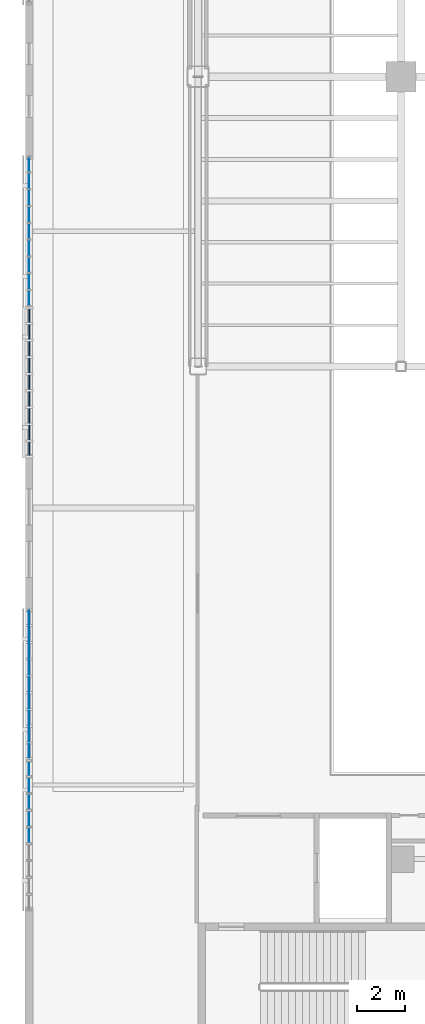
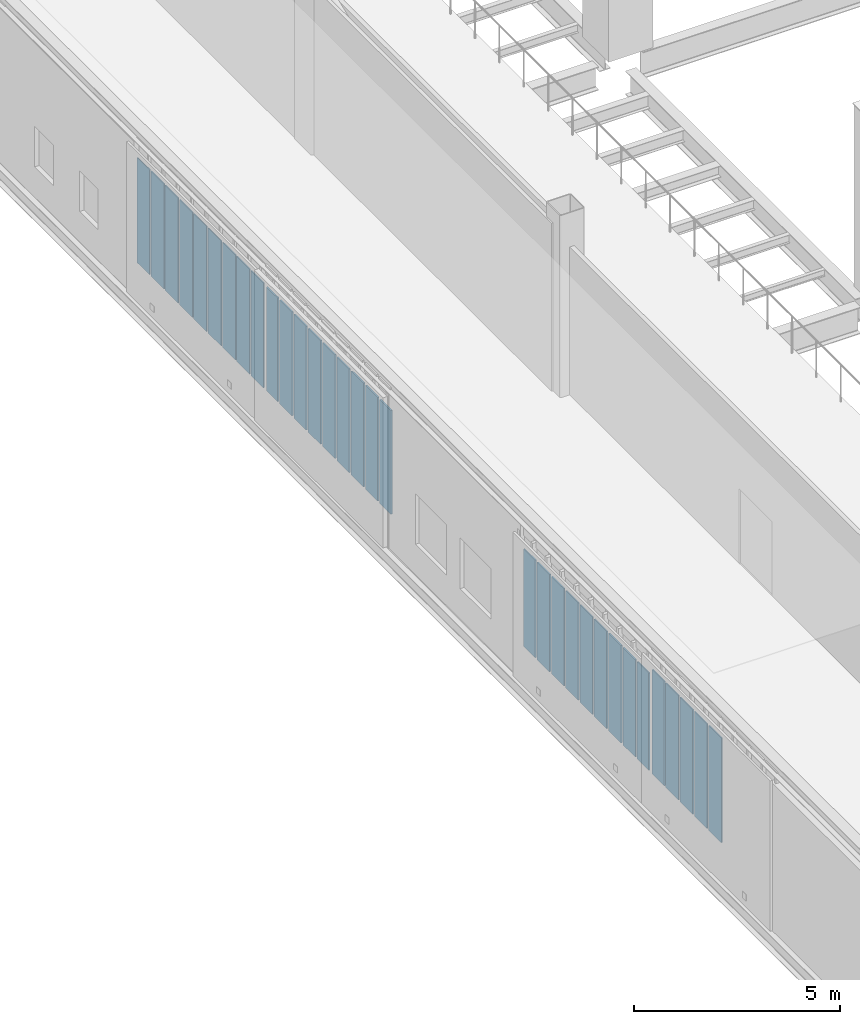
# One storey, part 71 of 127: 32 plates, 4 elements without a shape of their own.
"""IFC4 building model written with IfcOpenShell, lengths in metres."""

from ifc_helpers import new_model, si_unit, direction, frame, origin, origin_2d, place, context, subcontext, project, spatial, rectangle, extrude, material, layer, layer_set, type_object, element, aggregate, save


model = new_model("IFC4")

# Units and contexts
model_context = context("Model", 3, precision=1e-05, world=origin(), true_north=direction((0.0, 1.0)))
body_context = subcontext(model_context, "Body", "Model", "MODEL_VIEW")
ifc_project = project(units=[si_unit("LENGTHUNIT", "METRE"), si_unit("AREAUNIT", "SQUARE_METRE"), si_unit("VOLUMEUNIT", "CUBIC_METRE"), si_unit("PLANEANGLEUNIT", "RADIAN"), si_unit("MASSUNIT", "GRAM", prefix="KILO")], contexts=[model_context])

# Site, building, storey
site_placement = place(None, origin())
site = spatial("IfcSite", under=ifc_project, at=site_placement, CompositionType="ELEMENT")
building_placement = place(site_placement, origin())
building = spatial("IfcBuilding", under=site, at=building_placement, Name="Larkvane Passage Sports Hall", CompositionType="ELEMENT")
storey_placement = place(building_placement, frame((0.0, 0.0, 5.39990234375)))
storey = spatial("IfcBuildingStorey", under=building, at=storey_placement, Name="L01", CompositionType="ELEMENT", Elevation=5.39990234375)

# Curtain wall, plates
ifc_material_1 = material(Name="Thermally broken aluminium and low-E glazing", Category="aluminium")
curtain_wall_type_1 = type_object("IfcCurtainWallType", Name="CW-UNIT-COURT", PredefinedType="USERDEFINED", material=ifc_material_1)
curtain_wall_1_placement = place(storey_placement, origin())
curtain_wall_1 = element("IfcCurtainWall", 1, at=curtain_wall_1_placement, inside=storey, type_object=curtain_wall_type_1, Name="Curtain wall CW5-L01-036", ObjectType="UNITISED CURTAIN WALL", PredefinedType="USERDEFINED")
ifc_material_2 = material(Name="Solar-control low-E double glazing", Category="glass")
ifc_layer_1 = layer(ifc_material_2, 0.028076171875)
ifc_layer_set_1 = layer_set([ifc_layer_1], Name="Solar-control low-E double glazing")
plate_type_1 = type_object("IfcPlateType", Name="CWP-VIS-28", PredefinedType="CURTAIN_PANEL", material=ifc_layer_set_1)
plate_1_placement = place(storey_placement, frame((27.800048828125, 54.43505859375, 0.88037109375), z_axis=(0.0, 0.0, 1.0), x_axis=(0.0, 1.0, 0.0)))
plate_1 = element("IfcPlate", 2, at=plate_1_placement, type_object=plate_type_1, Name="CW-01 panel 1.2", PredefinedType="CURTAIN_PANEL", context=body_context, shape_type="SweptSolid", body=[
    extrude(rectangle(XDim=0.60498046875, YDim=0.028076171875, at=origin_2d()), origin(), (0.0, 0.0, 1.0), 3.117919921875),
])
plate_2_placement = place(storey_placement, frame((27.800048828125, 55.115234375, 0.88037109375), z_axis=(0.0, 0.0, 1.0), x_axis=(0.0, 1.0, 0.0)))
plate_2 = element("IfcPlate", 3, at=plate_2_placement, type_object=plate_type_1, Name="CW-01 panel 2.2", PredefinedType="CURTAIN_PANEL", context=body_context, shape_type="SweptSolid", body=[
    extrude(rectangle(XDim=0.635009765625, YDim=0.028076171875, at=origin_2d()), origin(), (0.0, 0.0, 1.0), 3.117919921875),
])
plate_3_placement = place(storey_placement, frame((27.800048828125, 55.81005859375, 0.88037109375), z_axis=(0.0, 0.0, 1.0), x_axis=(0.0, 1.0, 0.0)))
plate_3 = element("IfcPlate", 4, at=plate_3_placement, type_object=plate_type_1, Name="CW-01 panel 3.2", PredefinedType="CURTAIN_PANEL", context=body_context, shape_type="SweptSolid", body=[
    extrude(rectangle(XDim=0.635009765625, YDim=0.028076171875, at=origin_2d()), origin(), (0.0, 0.0, 1.0), 3.117919921875),
])
plate_4_placement = place(storey_placement, frame((27.800048828125, 56.505126953125, 0.88037109375), z_axis=(0.0, 0.0, 1.0), x_axis=(0.0, 1.0, 0.0)))
plate_4 = element("IfcPlate", 5, at=plate_4_placement, type_object=plate_type_1, Name="CW-01 panel 4.2", PredefinedType="CURTAIN_PANEL", context=body_context, shape_type="SweptSolid", body=[
    extrude(rectangle(XDim=0.635009765625, YDim=0.028076171875, at=origin_2d()), origin(), (0.0, 0.0, 1.0), 3.117919921875),
])
plate_5_placement = place(storey_placement, frame((27.800048828125, 57.199951171875, 0.88037109375), z_axis=(0.0, 0.0, 1.0), x_axis=(0.0, 1.0, 0.0)))
plate_5 = element("IfcPlate", 6, at=plate_5_placement, type_object=plate_type_1, Name="CW-01 panel 5.2", PredefinedType="CURTAIN_PANEL", context=body_context, shape_type="SweptSolid", body=[
    extrude(rectangle(XDim=0.635009765625, YDim=0.028076171875, at=origin_2d()), origin(), (0.0, 0.0, 1.0), 3.117919921875),
])
plate_6_placement = place(storey_placement, frame((27.800048828125, 57.89501953125, 0.88037109375), z_axis=(0.0, 0.0, 1.0), x_axis=(0.0, 1.0, 0.0)))
plate_6 = element("IfcPlate", 7, at=plate_6_placement, type_object=plate_type_1, Name="CW-01 panel 6.2", PredefinedType="CURTAIN_PANEL", context=body_context, shape_type="SweptSolid", body=[
    extrude(rectangle(XDim=0.635009765625, YDim=0.028076171875, at=origin_2d()), origin(), (0.0, 0.0, 1.0), 3.117919921875),
])
plate_7_placement = place(storey_placement, frame((27.800048828125, 58.58984375, 0.88037109375), z_axis=(0.0, 0.0, 1.0), x_axis=(0.0, 1.0, 0.0)))
plate_7 = element("IfcPlate", 8, at=plate_7_placement, type_object=plate_type_1, Name="CW-01 panel 7.2", PredefinedType="CURTAIN_PANEL", context=body_context, shape_type="SweptSolid", body=[
    extrude(rectangle(XDim=0.635009765625, YDim=0.028076171875, at=origin_2d()), origin(), (0.0, 0.0, 1.0), 3.117919921875),
])
plate_8_placement = place(storey_placement, frame((27.800048828125, 59.284912109375, 0.88037109375), z_axis=(0.0, 0.0, 1.0), x_axis=(0.0, 1.0, 0.0)))
plate_8 = element("IfcPlate", 9, at=plate_8_placement, type_object=plate_type_1, Name="CW-01 panel 8.2", PredefinedType="CURTAIN_PANEL", context=body_context, shape_type="SweptSolid", body=[
    extrude(rectangle(XDim=0.635009765625, YDim=0.028076171875, at=origin_2d()), origin(), (0.0, 0.0, 1.0), 3.117919921875),
])
plate_9_placement = place(storey_placement, frame((27.800048828125, 59.96484375, 0.88037109375), z_axis=(0.0, 0.0, 1.0), x_axis=(0.0, 1.0, 0.0)))
plate_9 = element("IfcPlate", 10, at=plate_9_placement, type_object=plate_type_1, Name="CW-01 panel 9.2", PredefinedType="CURTAIN_PANEL", context=body_context, shape_type="SweptSolid", body=[
    extrude(rectangle(XDim=0.60498046875, YDim=0.028076171875, at=origin_2d()), origin(), (0.0, 0.0, 1.0), 3.117919921875),
])
aggregate(curtain_wall_1, [plate_1, plate_2, plate_3, plate_4, plate_5, plate_6, plate_7, plate_8, plate_9])

curtain_wall_type_2 = type_object("IfcCurtainWallType", Name="CW-UNIT-VEIL", PredefinedType="USERDEFINED", material=ifc_material_1)
curtain_wall_2_placement = place(storey_placement, origin())
curtain_wall_2 = element("IfcCurtainWall", 11, at=curtain_wall_2_placement, inside=storey, type_object=curtain_wall_type_2, Name="Curtain wall CW5-L01-033", ObjectType="UNITISED CURTAIN WALL", PredefinedType="USERDEFINED")
ifc_material_3 = material(Name="Laminated acoustic low-E glazing", Category="glass")
ifc_layer_2 = layer(ifc_material_3, 0.031982421875)
ifc_layer_set_2 = layer_set([ifc_layer_2], Name="Laminated acoustic low-E glazing")
plate_type_2 = type_object("IfcPlateType", Name="CWP-VIS-32", PredefinedType="CURTAIN_PANEL", material=ifc_layer_set_2)
plate_10_placement = place(storey_placement, frame((27.800048828125, 32.181884765625, 0.8876953125), z_axis=(0.0, 0.0, 1.0), x_axis=(0.0, 1.0, 0.0)))
plate_10 = element("IfcPlate", 12, at=plate_10_placement, type_object=plate_type_2, Name="CW-02 panel 5.2", PredefinedType="CURTAIN_PANEL", context=body_context, shape_type="SweptSolid", body=[
    extrude(rectangle(XDim=0.619873046875, YDim=0.031982421875, at=origin_2d()), origin(), (0.0, 0.0, 1.0), 3.10302734375),
])
plate_11_placement = place(storey_placement, frame((27.800048828125, 32.876708984375, 0.8876953125), z_axis=(0.0, 0.0, 1.0), x_axis=(0.0, 1.0, 0.0)))
plate_11 = element("IfcPlate", 13, at=plate_11_placement, type_object=plate_type_2, Name="CW-02 panel 6.2", PredefinedType="CURTAIN_PANEL", context=body_context, shape_type="SweptSolid", body=[
    extrude(rectangle(XDim=0.619873046875, YDim=0.031982421875, at=origin_2d()), origin(), (0.0, 0.0, 1.0), 3.10302734375),
])
plate_12_placement = place(storey_placement, frame((27.800048828125, 33.57177734375, 0.8876953125), z_axis=(0.0, 0.0, 1.0), x_axis=(0.0, 1.0, 0.0)))
plate_12 = element("IfcPlate", 14, at=plate_12_placement, type_object=plate_type_2, Name="CW-02 panel 7.2", PredefinedType="CURTAIN_PANEL", context=body_context, shape_type="SweptSolid", body=[
    extrude(rectangle(XDim=0.619873046875, YDim=0.031982421875, at=origin_2d()), origin(), (0.0, 0.0, 1.0), 3.10302734375),
])
plate_13_placement = place(storey_placement, frame((27.800048828125, 34.2666015625, 0.8876953125), z_axis=(0.0, 0.0, 1.0), x_axis=(0.0, 1.0, 0.0)))
plate_13 = element("IfcPlate", 15, at=plate_13_placement, type_object=plate_type_2, Name="CW-02 panel 8.2", PredefinedType="CURTAIN_PANEL", context=body_context, shape_type="SweptSolid", body=[
    extrude(rectangle(XDim=0.619873046875, YDim=0.031982421875, at=origin_2d()), origin(), (0.0, 0.0, 1.0), 3.10302734375),
])
plate_14_placement = place(storey_placement, frame((27.800048828125, 34.94287109375, 0.8876953125), z_axis=(0.0, 0.0, 1.0), x_axis=(0.0, 1.0, 0.0)))
plate_14 = element("IfcPlate", 16, at=plate_14_placement, type_object=plate_type_2, Name="CW-02 panel 9.2", PredefinedType="CURTAIN_PANEL", context=body_context, shape_type="SweptSolid", body=[
    extrude(rectangle(XDim=0.58251953125, YDim=0.031982421875, at=origin_2d()), origin(), (0.0, 0.0, 1.0), 3.10302734375),
])
aggregate(curtain_wall_2, [plate_10, plate_11, plate_12, plate_13, plate_14])

curtain_wall_type_3 = type_object("IfcCurtainWallType", Name="CW-STICK-FOYER", PredefinedType="USERDEFINED", material=ifc_material_1)
curtain_wall_3_placement = place(storey_placement, origin())
curtain_wall_3 = element("IfcCurtainWall", 17, at=curtain_wall_3_placement, inside=storey, type_object=curtain_wall_type_3, Name="Curtain wall CW5-L01-034", ObjectType="STICK CURTAIN WALL", PredefinedType="USERDEFINED")
ifc_material_4 = material(Name="High-impact court low-E glazing", Category="glass")
ifc_layer_3 = layer(ifc_material_4, 0.035888671875)
ifc_layer_set_3 = layer_set([ifc_layer_3], Name="High-impact court low-E glazing")
plate_type_3 = type_object("IfcPlateType", Name="CWP-VIS-36", PredefinedType="CURTAIN_PANEL", material=ifc_layer_set_3)
plate_15_placement = place(storey_placement, frame((27.800048828125, 35.678955078125, 0.89501953125), z_axis=(0.0, 0.0, 1.0), x_axis=(0.0, 1.0, 0.0)))
plate_15 = element("IfcPlate", 18, at=plate_15_placement, type_object=plate_type_3, Name="CW-03 panel 1.2", PredefinedType="CURTAIN_PANEL", context=body_context, shape_type="SweptSolid", body=[
    extrude(rectangle(XDim=0.56005859375, YDim=0.035888671875, at=origin_2d()), origin(), (0.0, 0.0, 1.0), 2.889892578125),
])
plate_16_placement = place(storey_placement, frame((27.800048828125, 36.3515625, 0.89501953125), z_axis=(0.0, 0.0, 1.0), x_axis=(0.0, 1.0, 0.0)))
plate_16 = element("IfcPlate", 19, at=plate_16_placement, type_object=plate_type_3, Name="CW-03 panel 2.2", PredefinedType="CURTAIN_PANEL", context=body_context, shape_type="SweptSolid", body=[
    extrude(rectangle(XDim=0.60498046875, YDim=0.035888671875, at=origin_2d()), origin(), (0.0, 0.0, 1.0), 2.889892578125),
])
plate_17_placement = place(storey_placement, frame((27.800048828125, 37.04638671875, 0.89501953125), z_axis=(0.0, 0.0, 1.0), x_axis=(0.0, 1.0, 0.0)))
plate_17 = element("IfcPlate", 20, at=plate_17_placement, type_object=plate_type_3, Name="CW-03 panel 3.2", PredefinedType="CURTAIN_PANEL", context=body_context, shape_type="SweptSolid", body=[
    extrude(rectangle(XDim=0.60498046875, YDim=0.035888671875, at=origin_2d()), origin(), (0.0, 0.0, 1.0), 2.889892578125),
])
plate_18_placement = place(storey_placement, frame((27.800048828125, 37.741455078125, 0.89501953125), z_axis=(0.0, 0.0, 1.0), x_axis=(0.0, 1.0, 0.0)))
plate_18 = element("IfcPlate", 21, at=plate_18_placement, type_object=plate_type_3, Name="CW-03 panel 4.2", PredefinedType="CURTAIN_PANEL", context=body_context, shape_type="SweptSolid", body=[
    extrude(rectangle(XDim=0.60498046875, YDim=0.035888671875, at=origin_2d()), origin(), (0.0, 0.0, 1.0), 2.889892578125),
])
plate_19_placement = place(storey_placement, frame((27.800048828125, 38.436279296875, 0.89501953125), z_axis=(0.0, 0.0, 1.0), x_axis=(0.0, 1.0, 0.0)))
plate_19 = element("IfcPlate", 22, at=plate_19_placement, type_object=plate_type_3, Name="CW-03 panel 5.2", PredefinedType="CURTAIN_PANEL", context=body_context, shape_type="SweptSolid", body=[
    extrude(rectangle(XDim=0.60498046875, YDim=0.035888671875, at=origin_2d()), origin(), (0.0, 0.0, 1.0), 2.889892578125),
])
plate_20_placement = place(storey_placement, frame((27.800048828125, 39.13134765625, 0.89501953125), z_axis=(0.0, 0.0, 1.0), x_axis=(0.0, 1.0, 0.0)))
plate_20 = element("IfcPlate", 23, at=plate_20_placement, type_object=plate_type_3, Name="CW-03 panel 6.2", PredefinedType="CURTAIN_PANEL", context=body_context, shape_type="SweptSolid", body=[
    extrude(rectangle(XDim=0.60498046875, YDim=0.035888671875, at=origin_2d()), origin(), (0.0, 0.0, 1.0), 2.889892578125),
])
plate_21_placement = place(storey_placement, frame((27.800048828125, 39.826171875, 0.89501953125), z_axis=(0.0, 0.0, 1.0), x_axis=(0.0, 1.0, 0.0)))
plate_21 = element("IfcPlate", 24, at=plate_21_placement, type_object=plate_type_3, Name="CW-03 panel 7.2", PredefinedType="CURTAIN_PANEL", context=body_context, shape_type="SweptSolid", body=[
    extrude(rectangle(XDim=0.60498046875, YDim=0.035888671875, at=origin_2d()), origin(), (0.0, 0.0, 1.0), 2.889892578125),
])
plate_22_placement = place(storey_placement, frame((27.800048828125, 40.521240234375, 0.89501953125), z_axis=(0.0, 0.0, 1.0), x_axis=(0.0, 1.0, 0.0)))
plate_22 = element("IfcPlate", 25, at=plate_22_placement, type_object=plate_type_3, Name="CW-03 panel 8.2", PredefinedType="CURTAIN_PANEL", context=body_context, shape_type="SweptSolid", body=[
    extrude(rectangle(XDim=0.60498046875, YDim=0.035888671875, at=origin_2d()), origin(), (0.0, 0.0, 1.0), 2.889892578125),
])
plate_23_placement = place(storey_placement, frame((27.800048828125, 41.193603515625, 0.89501953125), z_axis=(0.0, 0.0, 1.0), x_axis=(0.0, 1.0, 0.0)))
plate_23 = element("IfcPlate", 26, at=plate_23_placement, type_object=plate_type_3, Name="CW-03 panel 9.2", PredefinedType="CURTAIN_PANEL", context=body_context, shape_type="SweptSolid", body=[
    extrude(rectangle(XDim=0.56005859375, YDim=0.035888671875, at=origin_2d()), origin(), (0.0, 0.0, 1.0), 2.889892578125),
])
aggregate(curtain_wall_3, [plate_15, plate_16, plate_17, plate_18, plate_19, plate_20, plate_21, plate_22, plate_23])

curtain_wall_type_4 = type_object("IfcCurtainWallType", Name="CW-CLINIC", PredefinedType="USERDEFINED", material=ifc_material_1)
curtain_wall_4_placement = place(storey_placement, origin())
curtain_wall_4 = element("IfcCurtainWall", 27, at=curtain_wall_4_placement, inside=storey, type_object=curtain_wall_type_4, Name="Curtain wall CW5-L01-035", ObjectType="UNITISED CURTAIN WALL", PredefinedType="USERDEFINED")
ifc_material_5 = material(Name="Triple-laminated typhoon glazing", Category="glass")
ifc_layer_4 = layer(ifc_material_5, 0.0419921875)
ifc_layer_set_4 = layer_set([ifc_layer_4], Name="Triple-laminated typhoon glazing")
plate_type_4 = type_object("IfcPlateType", Name="CWP-VIS-42", PredefinedType="CURTAIN_PANEL", material=ifc_layer_set_4)
plate_24_placement = place(storey_placement, frame((27.800048828125, 48.190673828125, 0.900390625), z_axis=(0.0, 0.0, 1.0), x_axis=(0.0, 1.0, 0.0)))
plate_24 = element("IfcPlate", 28, at=plate_24_placement, type_object=plate_type_4, Name="CW-05 panel 1.2", PredefinedType="CURTAIN_PANEL", context=body_context, shape_type="SweptSolid", body=[
    extrude(rectangle(XDim=0.544921875, YDim=0.0419921875, at=origin_2d()), origin(), (0.0, 0.0, 1.0), 3.077880859375),
])
plate_25_placement = place(storey_placement, frame((27.800048828125, 48.860595703125, 0.900390625), z_axis=(0.0, 0.0, 1.0), x_axis=(0.0, 1.0, 0.0)))
plate_25 = element("IfcPlate", 29, at=plate_25_placement, type_object=plate_type_4, Name="CW-05 panel 2.2", PredefinedType="CURTAIN_PANEL", context=body_context, shape_type="SweptSolid", body=[
    extrude(rectangle(XDim=0.594970703125, YDim=0.0419921875, at=origin_2d()), origin(), (0.0, 0.0, 1.0), 3.077880859375),
])
plate_26_placement = place(storey_placement, frame((27.800048828125, 49.5556640625, 0.900390625), z_axis=(0.0, 0.0, 1.0), x_axis=(0.0, 1.0, 0.0)))
plate_26 = element("IfcPlate", 30, at=plate_26_placement, type_object=plate_type_4, Name="CW-05 panel 3.2", PredefinedType="CURTAIN_PANEL", context=body_context, shape_type="SweptSolid", body=[
    extrude(rectangle(XDim=0.594970703125, YDim=0.0419921875, at=origin_2d()), origin(), (0.0, 0.0, 1.0), 3.077880859375),
])
plate_27_placement = place(storey_placement, frame((27.800048828125, 50.25048828125, 0.900390625), z_axis=(0.0, 0.0, 1.0), x_axis=(0.0, 1.0, 0.0)))
plate_27 = element("IfcPlate", 31, at=plate_27_placement, type_object=plate_type_4, Name="CW-05 panel 4.2", PredefinedType="CURTAIN_PANEL", context=body_context, shape_type="SweptSolid", body=[
    extrude(rectangle(XDim=0.594970703125, YDim=0.0419921875, at=origin_2d()), origin(), (0.0, 0.0, 1.0), 3.077880859375),
])
plate_28_placement = place(storey_placement, frame((27.800048828125, 50.945556640625, 0.900390625), z_axis=(0.0, 0.0, 1.0), x_axis=(0.0, 1.0, 0.0)))
plate_28 = element("IfcPlate", 32, at=plate_28_placement, type_object=plate_type_4, Name="CW-05 panel 5.2", PredefinedType="CURTAIN_PANEL", context=body_context, shape_type="SweptSolid", body=[
    extrude(rectangle(XDim=0.594970703125, YDim=0.0419921875, at=origin_2d()), origin(), (0.0, 0.0, 1.0), 3.077880859375),
])
plate_29_placement = place(storey_placement, frame((27.800048828125, 51.640380859375, 0.900390625), z_axis=(0.0, 0.0, 1.0), x_axis=(0.0, 1.0, 0.0)))
plate_29 = element("IfcPlate", 33, at=plate_29_placement, type_object=plate_type_4, Name="CW-05 panel 6.2", PredefinedType="CURTAIN_PANEL", context=body_context, shape_type="SweptSolid", body=[
    extrude(rectangle(XDim=0.594970703125, YDim=0.0419921875, at=origin_2d()), origin(), (0.0, 0.0, 1.0), 3.077880859375),
])
plate_30_placement = place(storey_placement, frame((27.800048828125, 52.33544921875, 0.900390625), z_axis=(0.0, 0.0, 1.0), x_axis=(0.0, 1.0, 0.0)))
plate_30 = element("IfcPlate", 34, at=plate_30_placement, type_object=plate_type_4, Name="CW-05 panel 7.2", PredefinedType="CURTAIN_PANEL", context=body_context, shape_type="SweptSolid", body=[
    extrude(rectangle(XDim=0.594970703125, YDim=0.0419921875, at=origin_2d()), origin(), (0.0, 0.0, 1.0), 3.077880859375),
])
plate_31_placement = place(storey_placement, frame((27.800048828125, 53.0302734375, 0.900390625), z_axis=(0.0, 0.0, 1.0), x_axis=(0.0, 1.0, 0.0)))
plate_31 = element("IfcPlate", 35, at=plate_31_placement, type_object=plate_type_4, Name="CW-05 panel 8.2", PredefinedType="CURTAIN_PANEL", context=body_context, shape_type="SweptSolid", body=[
    extrude(rectangle(XDim=0.594970703125, YDim=0.0419921875, at=origin_2d()), origin(), (0.0, 0.0, 1.0), 3.077880859375),
])
plate_32_placement = place(storey_placement, frame((27.800048828125, 53.7001953125, 0.900390625), z_axis=(0.0, 0.0, 1.0), x_axis=(0.0, 1.0, 0.0)))
plate_32 = element("IfcPlate", 36, at=plate_32_placement, type_object=plate_type_4, Name="CW-05 panel 9.2", PredefinedType="CURTAIN_PANEL", context=body_context, shape_type="SweptSolid", body=[
    extrude(rectangle(XDim=0.544921875, YDim=0.0419921875, at=origin_2d()), origin(), (0.0, 0.0, 1.0), 3.077880859375),
])
aggregate(curtain_wall_4, [plate_24, plate_25, plate_26, plate_27, plate_28, plate_29, plate_30, plate_31, plate_32])

save(model, "model.ifc")
